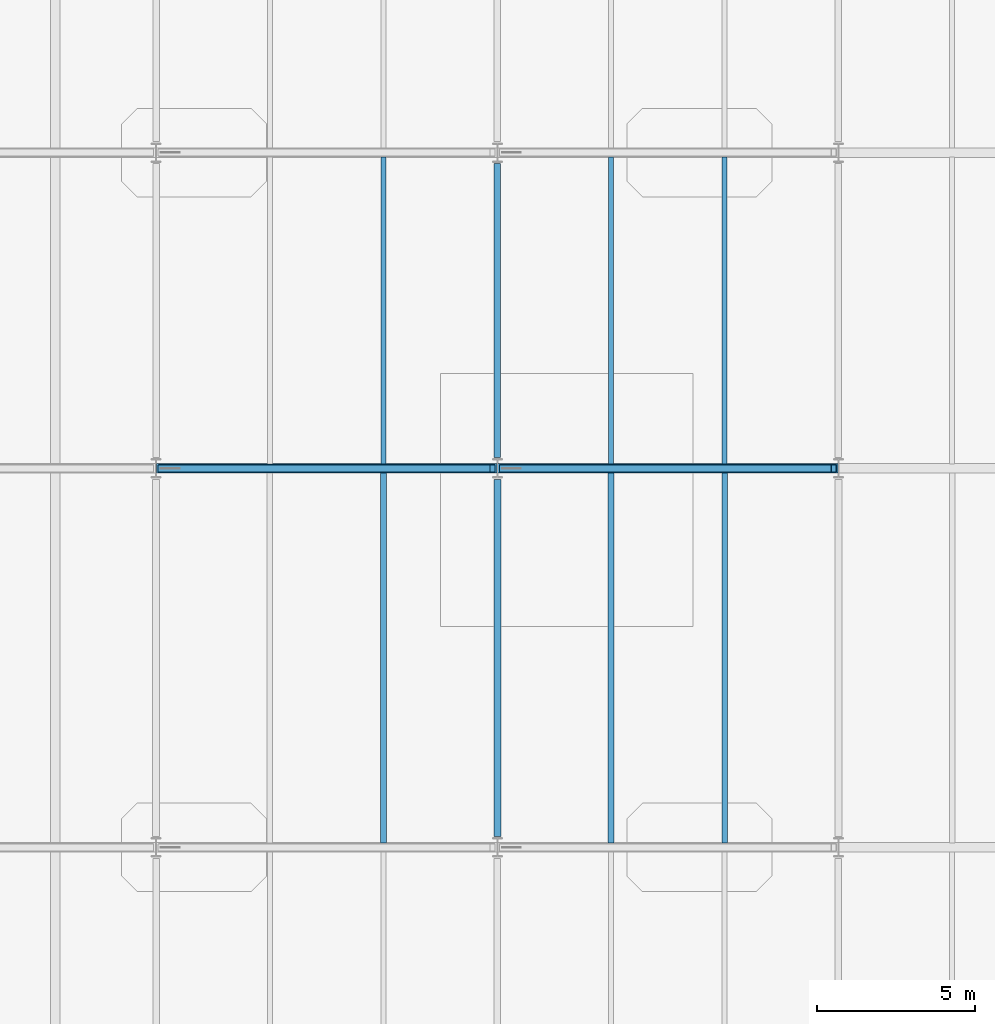
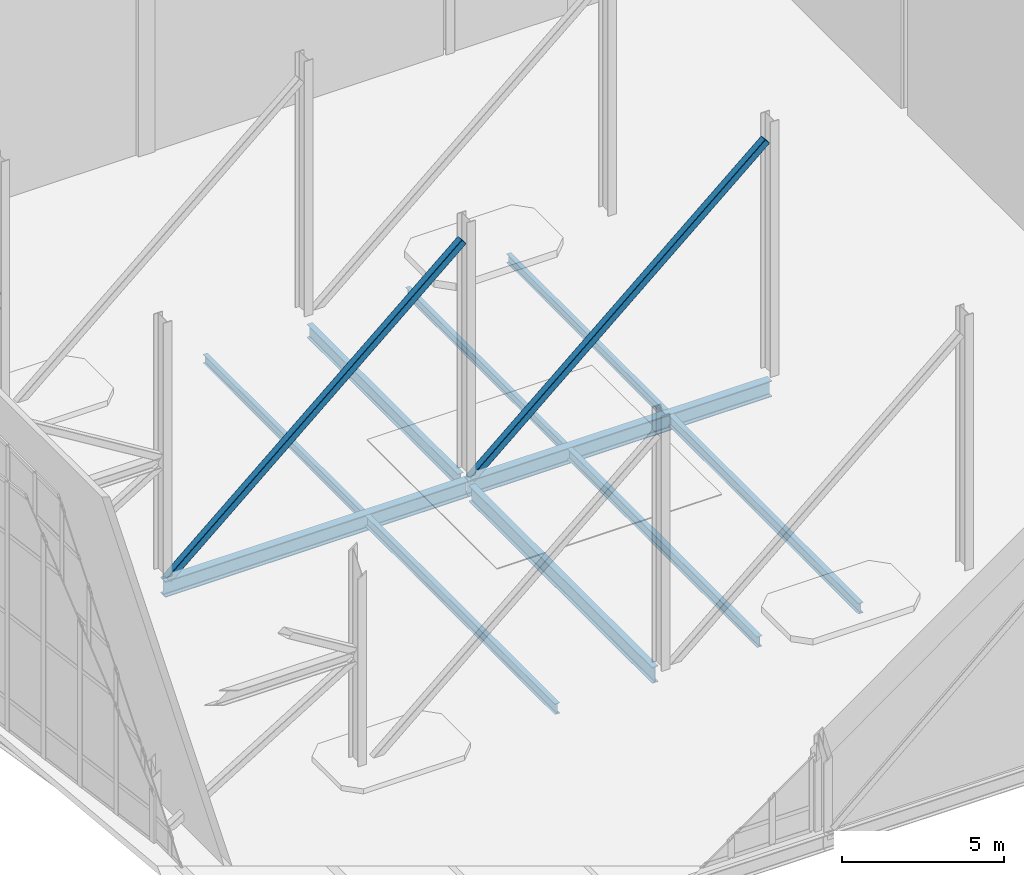
# One storey, part 24 of 100: 10 beams, 2 members.
"""IFC4 building model written with IfcOpenShell, lengths in metres."""

import ifcopenshell
import ifcopenshell.guid

model = None  # the IFC model being written
_history = None  # IfcOwnerHistory: only IFC2X3 demands one
_inside = {}  # id of a spatial element -> (the spatial element, [elements in it])
_under = {}  # id of a project, library or spatial element -> (it, [spatial elements below it])
_declared = {}  # id of a project -> (the project, [libraries it declares])
_typed = {}  # id of a type object -> (the type object, [elements of that type])
_made_of = {}  # id of a material, layer set ... -> (it, [elements and type objects made of it])


def new_model(schema):
    """Start an empty IFC model of exactly this schema.

    Asked for "IFC4X3", IfcOpenShell would pick the latest addendum, in which some entities
    have other attributes; the version numbers below select the first issue.
    IFC2X3 requires an IfcOwnerHistory on every rooted entity: one is made here for all.
    """
    global model, _history
    if schema == "IFC4X3":
        model = ifcopenshell.file(schema_version=(4, 3, 0, 0))
    else:
        model = ifcopenshell.file(schema=schema)
    _inside.clear()
    _under.clear()
    _declared.clear()
    _typed.clear()
    _made_of.clear()
    _history = None
    if model.schema == "IFC2X3":
        org = make("IfcOrganization", Name="unknown")
        user = make(
            "IfcPersonAndOrganization",
            ThePerson=make("IfcPerson", FamilyName="unknown"),
            TheOrganization=org,
        )
        app = make(
            "IfcApplication",
            ApplicationDeveloper=org,
            Version="unknown",
            ApplicationFullName="unknown",
            ApplicationIdentifier="unknown",
        )
        _history = make(
            "IfcOwnerHistory",
            OwningUser=user,
            OwningApplication=app,
            ChangeAction="ADDED",
            CreationDate=0,
        )
    return model


def make(cls, **values):
    """One entity of the class cls with the attributes given. An attribute that is None is left unset."""
    return model.create_entity(
        cls, **{name: value for name, value in values.items() if value is not None}
    )


def rooted(cls, **values):
    """An entity with a GlobalId (a new one), such as an element, a storey or a relation."""
    return make(cls, GlobalId=ifcopenshell.guid.new(), OwnerHistory=_history, **values)


def si_unit(unit_type, name, prefix=None):
    """IfcSIUnit, for example si_unit("LENGTHUNIT", "METRE", prefix="MILLI")."""
    return make("IfcSIUnit", UnitType=unit_type, Prefix=prefix, Name=name)


def assignment(units):
    """IfcUnitAssignment: the units of a project."""
    return None if units is None else make("IfcUnitAssignment", Units=units)


def point(xyz):
    """IfcCartesianPoint."""
    return None if xyz is None else make("IfcCartesianPoint", Coordinates=xyz)


def direction(xyz):
    """IfcDirection."""
    return None if xyz is None else make("IfcDirection", DirectionRatios=xyz)


def frame(location, z_axis=None, x_axis=None):
    """IfcAxis2Placement3D, a coordinate frame: its origin and axes. An axis left out is left unset."""
    return make(
        "IfcAxis2Placement3D",
        Location=point(location),
        Axis=direction(z_axis),
        RefDirection=direction(x_axis),
    )


def frame_2d(location, x_axis=None):
    """IfcAxis2Placement2D, a coordinate frame in the plane: its origin and x axis."""
    return make(
        "IfcAxis2Placement2D", Location=point(location), RefDirection=direction(x_axis)
    )


def origin():
    """The frame at (0, 0, 0) with its axes left unset."""
    return frame((0.0, 0.0, 0.0))


def origin_2d():
    """The frame at (0, 0) in the plane with its x axis left unset."""
    return frame_2d((0.0, 0.0))


def place(relative_to, where):
    """IfcLocalPlacement: puts the frame where relative to a parent placement (None: the world)."""
    return make(
        "IfcLocalPlacement", PlacementRelTo=relative_to, RelativePlacement=where
    )


def context(
    kind, dimensions, precision=None, world=None, true_north=None, identifier=None
):
    """IfcGeometricRepresentationContext, for example the 3D "Model" context."""
    return make(
        "IfcGeometricRepresentationContext",
        ContextIdentifier=identifier,
        ContextType=kind,
        CoordinateSpaceDimension=dimensions,
        Precision=precision,
        WorldCoordinateSystem=world,
        TrueNorth=true_north,
    )


def subcontext(parent, identifier, kind, view, scale=None):
    """IfcGeometricRepresentationSubContext, for example "Body" below "Model"."""
    return make(
        "IfcGeometricRepresentationSubContext",
        ContextIdentifier=identifier,
        ContextType=kind,
        ParentContext=parent,
        TargetScale=scale,
        TargetView=view,
    )


def project(units=None, contexts=None):
    """IfcProject with its units and contexts."""
    return rooted(
        "IfcProject",
        Name="project",
        RepresentationContexts=contexts,
        UnitsInContext=assignment(units),
    )


def spatial(cls, under=None, at=None, **own):
    """A site, building, storey or space (cls), placed at a placement, below another one or the project."""
    s = rooted(cls, ObjectPlacement=at, **own)
    if under is not None:
        _under.setdefault(under.id(), (under, []))[1].append(s)
    return s


def profile(cls, at=None, kind="AREA", **sizes):
    """A parametric profile (cls). Its sizes go by their IFC names, for example OverallWidth=200.0."""
    return make(cls, ProfileType=kind, Position=at, **sizes)


def hollow_rectangle(**sizes):
    """IfcRectangleHollowProfileDef."""
    return profile("IfcRectangleHollowProfileDef", **sizes)


def i_section(**sizes):
    """IfcIShapeProfileDef."""
    return profile("IfcIShapeProfileDef", **sizes)


def extrude(swept, where, along, depth):
    """IfcExtrudedAreaSolid: the profile swept, set in the frame where, extruded along a direction by depth."""
    return make(
        "IfcExtrudedAreaSolid",
        SweptArea=swept,
        Position=where,
        ExtrudedDirection=direction(along),
        Depth=depth,
    )


def shape(context_of_items, identifier, shape_type, items):
    """IfcShapeRepresentation: the items that make up one representation, for example the "Body"."""
    return make(
        "IfcShapeRepresentation",
        ContextOfItems=context_of_items,
        RepresentationIdentifier=identifier,
        RepresentationType=shape_type,
        Items=items,
    )


def material(Name=None, Category=None):
    """IfcMaterial."""
    return make("IfcMaterial", Name=Name, Category=Category)


def material_profile(
    of_material, cross_section, Name=None, Category=None, Priority=None
):
    """IfcMaterialProfile: a cross section and its material."""
    return make(
        "IfcMaterialProfile",
        Name=Name,
        Material=of_material,
        Profile=cross_section,
        Priority=Priority,
        Category=Category,
    )


def profile_set(profiles, Name=None, composite=None):
    """IfcMaterialProfileSet."""
    return make(
        "IfcMaterialProfileSet",
        Name=Name,
        MaterialProfiles=profiles,
        CompositeProfile=composite,
    )


def made_of(thing, what):
    """Note that an element or type object is made of a material, layer set ...; save() writes the relation."""
    if what is not None:
        _made_of.setdefault(what.id(), (what, []))[1].append(thing)
    return thing


def type_object(cls, material=None, **own):
    """A type object (cls), such as IfcWallType, which elements share."""
    return made_of(rooted(cls, **own), material)


def element(
    cls,
    number,
    at=None,
    inside=None,
    cuts=None,
    type_object=None,
    material=None,
    context=None,
    identifier="Body",
    shape_type=None,
    held_by="IfcProductDefinitionShape",
    body=None,
    shapes=None,
    **own,
):
    """One element of the class cls, such as IfcWall. Its Tag is "e" and its number.

    at: its placement. inside: the storey or other place that contains it. cuts: it is an
    opening in that element (IfcRelVoidsElement). A single representation is given by context,
    identifier, shape_type and body (its items); several are given by shapes. held_by: the class
    of the entity that holds the representations. save() writes the other relations.
    """
    e = rooted(cls, Tag="e%d" % number, ObjectPlacement=at, **own)
    if body is not None:
        shapes = [shape(context, identifier, shape_type, body)]
    if shapes is not None:
        e.Representation = make(held_by, Representations=shapes)
    if inside is not None:
        _inside.setdefault(inside.id(), (inside, []))[1].append(e)
    if cuts is not None:
        rooted(
            "IfcRelVoidsElement", RelatingBuildingElement=cuts, RelatedOpeningElement=e
        )
    if type_object is not None:
        _typed.setdefault(type_object.id(), (type_object, []))[1].append(e)
    return made_of(e, material)


def aggregate(whole, parts):
    """IfcRelAggregates: a whole, such as a stair, and the parts it consists of."""
    return rooted("IfcRelAggregates", RelatingObject=whole, RelatedObjects=parts)


def save(model, path):
    """Write the relations noted so far, then the file.

    IfcRelAggregates (storeys below a building ...), IfcRelContainedInSpatialStructure (elements
    in a storey), IfcRelDefinesByType, IfcRelAssociatesMaterial and IfcRelDeclares: one each for
    every whole, place, type object, material and project.
    """
    for whole, parts in _under.values():
        aggregate(whole, parts)
    for where, things in _inside.values():
        rooted(
            "IfcRelContainedInSpatialStructure",
            RelatedElements=things,
            RelatingStructure=where,
        )
    for kind, things in _typed.values():
        rooted("IfcRelDefinesByType", RelatedObjects=things, RelatingType=kind)
    for what, things in _made_of.values():
        rooted("IfcRelAssociatesMaterial", RelatedObjects=things, RelatingMaterial=what)
    for by, libraries in _declared.values():
        rooted("IfcRelDeclares", RelatingContext=by, RelatedDefinitions=libraries)
    model.write(path)


model = new_model("IFC4")

# Units and contexts
model_context = context("Model", 3, precision=1e-05, world=origin(), true_north=direction((0.0, 1.0)))
body_context = subcontext(model_context, "Body", "Model", "MODEL_VIEW")
ifc_project = project(units=[si_unit("LENGTHUNIT", "METRE"), si_unit("AREAUNIT", "SQUARE_METRE"), si_unit("VOLUMEUNIT", "CUBIC_METRE"), si_unit("PLANEANGLEUNIT", "RADIAN"), si_unit("MASSUNIT", "GRAM", prefix="KILO")], contexts=[model_context])

# Site, building, storey
site_placement = place(None, origin())
site = spatial("IfcSite", under=ifc_project, at=site_placement, CompositionType="ELEMENT")
building_placement = place(site_placement, origin())
building = spatial("IfcBuilding", under=site, at=building_placement, Name="Tasgan Crest Museum", CompositionType="ELEMENT")
storey_placement = place(building_placement, frame((0.0, 0.0, 14.39990234375)))
storey = spatial("IfcBuildingStorey", under=building, at=storey_placement, Name="L03", CompositionType="ELEMENT", Elevation=14.39990234375)

# Beams
ifc_material_1 = material(Name="Steel S355K2", Category="steel")
ifc_material_profile_1 = material_profile(ifc_material_1, i_section(OverallWidth=0.300048828125, OverallDepth=0.60009765625, WebThickness=0.015380859375, FlangeThickness=0.030029296875, FilletRadius=0.027099609375, at=origin_2d()), Name="HEB 600")
ifc_profile_set_1 = profile_set([ifc_material_profile_1], Name="Steel S355K2")
beam_type_1 = type_object("IfcBeamType", Name="BM-CANT-G1", PredefinedType="BEAM", material=ifc_profile_set_1)
for number, where, z_axis, x_axis, name in (
    (1, (10.806396484375, 62.0, -0.559814453125), (1.0, 0.0, 0.0), (0.0, 1.0, 0.0), "Transfer back-span girder 1 MID G"),
    (2, (21.6064453125, 62.0, -0.559814453125), (1.0, 0.0, 0.0), (0.0, 1.0, 0.0), "Transfer back-span girder 2 MID G"),
):
    element("IfcBeam", number, at=place(storey_placement, frame(where, z_axis=z_axis, x_axis=x_axis)), inside=storey, type_object=beam_type_1, Name=name, PredefinedType="BEAM", context=body_context, shape_type="SweptSolid", body=[
        extrude(i_section(OverallWidth=0.300048828125, OverallDepth=0.60009765625, WebThickness=0.015380859375, FlangeThickness=0.030029296875, FilletRadius=0.027099609375, at=origin_2d()), origin(), (0.0, 0.0, 1.0), 10.787109375),
    ])
ifc_material_2 = material(Name="Steel S355J2", Category="steel")
ifc_material_profile_2 = material_profile(ifc_material_2, i_section(OverallWidth=0.199951171875, OverallDepth=0.5, WebThickness=0.01025390625, FlangeThickness=0.01611328125, FilletRadius=0.02099609375, at=origin_2d()), Name="IPE 500")
ifc_profile_set_2 = profile_set([ifc_material_profile_2], Name="Steel S355J2")
beam_type_2 = type_object("IfcBeamType", Name="BM-G-IPE500", PredefinedType="BEAM", material=ifc_profile_set_2)
beam_1_placement = place(storey_placement, frame((21.60009765625, 62.344970703125, -0.510009765625), z_axis=(0.0, 1.0, 0.0), x_axis=(-1.0, 0.0, 0.0)))
element("IfcBeam", 3, at=beam_1_placement, inside=storey, type_object=beam_type_2, Name="Beam L03 3 62.0-72.0", PredefinedType="BEAM", context=body_context, shape_type="SweptSolid", body=[
    extrude(i_section(OverallWidth=0.199951171875, OverallDepth=0.5, WebThickness=0.01025390625, FlangeThickness=0.01611328125, FilletRadius=0.02099609375, at=origin_2d()), origin(), (0.0, 0.0, 1.0), 9.31005859375),
])
ifc_material_3 = material(Name="Steel S355J2", Category="steel")
ifc_material_profile_3 = material_profile(ifc_material_3, i_section(OverallWidth=0.219970703125, OverallDepth=0.60009765625, WebThickness=0.011962890625, FlangeThickness=0.01904296875, FilletRadius=0.02392578125, at=origin_2d()), Name="IPE 600")
ifc_profile_set_3 = profile_set([ifc_material_profile_3], Name="Steel S355J2")
beam_type_3 = type_object("IfcBeamType", Name="BM-G-IPE600", PredefinedType="BEAM", material=ifc_profile_set_3)
beam_2_placement = place(storey_placement, frame((21.60009765625, 50.344970703125, -0.559814453125), z_axis=(0.0, 1.0, 0.0), x_axis=(-1.0, 0.0, 0.0)))
element("IfcBeam", 4, at=beam_2_placement, inside=storey, type_object=beam_type_3, Name="Beam L03 3 50.0-62.0", PredefinedType="BEAM", context=body_context, shape_type="SweptSolid", body=[
    extrude(i_section(OverallWidth=0.219970703125, OverallDepth=0.60009765625, WebThickness=0.011962890625, FlangeThickness=0.01904296875, FilletRadius=0.02392578125, at=origin_2d()), origin(), (0.0, 0.0, 1.0), 11.31005859375),
])
ifc_material_4 = material(Name="Steel S355J2", Category="steel")
ifc_material_profile_4 = material_profile(ifc_material_4, i_section(OverallWidth=0.159912109375, OverallDepth=0.330078125, WebThickness=0.007568359375, FlangeThickness=0.011474609375, FilletRadius=0.01806640625, at=origin_2d()), Name="IPE 330")
ifc_profile_set_4 = profile_set([ifc_material_profile_4], Name="Steel S355J2")
beam_type_4 = type_object("IfcBeamType", Name="BM-J-IPE330", PredefinedType="JOIST", material=ifc_profile_set_4)
for number, where, z_axis, x_axis, name in (
    (5, (18.0, 62.14501953125, -0.4248046875), (0.0, 1.0, 0.0), (-1.0, 0.0, 0.0), "Secondary joist L03 X=18.0 Y=62.0-72.0"),
    (6, (25.199951171875, 62.14501953125, -0.4248046875), (0.0, 1.0, 0.0), (-1.0, 0.0, 0.0), "Secondary joist L03 X=25.2 Y=62.0-72.0"),
    (7, (28.800048828125, 62.14501953125, -0.4248046875), (0.0, 1.0, 0.0), (-1.0, 0.0, 0.0), "Secondary joist L03 X=28.8 Y=62.0-72.0"),
):
    element("IfcBeam", number, at=place(storey_placement, frame(where, z_axis=z_axis, x_axis=x_axis)), inside=storey, type_object=beam_type_4, Name=name, PredefinedType="JOIST", context=body_context, shape_type="SweptSolid", body=[
        extrude(i_section(OverallWidth=0.159912109375, OverallDepth=0.330078125, WebThickness=0.007568359375, FlangeThickness=0.011474609375, FilletRadius=0.01806640625, at=origin_2d()), origin(), (0.0, 0.0, 1.0), 9.7099609375),
    ])
ifc_material_5 = material(Name="Steel S355J2", Category="steel")
ifc_material_profile_5 = material_profile(ifc_material_5, i_section(OverallWidth=0.179931640625, OverallDepth=0.39990234375, WebThickness=0.008544921875, FlangeThickness=0.013427734375, FilletRadius=0.02099609375, at=origin_2d()), Name="IPE 400")
ifc_profile_set_5 = profile_set([ifc_material_profile_5], Name="Steel S355J2")
beam_type_5 = type_object("IfcBeamType", Name="BM-J-IPE400", PredefinedType="JOIST", material=ifc_profile_set_5)
for number, where, z_axis, x_axis, name in (
    (8, (18.0, 50.14501953125, -0.4599609375), (0.0, 1.0, 0.0), (-1.0, 0.0, 0.0), "Secondary joist L03 X=18.0 Y=50.0-62.0"),
    (9, (25.199951171875, 50.14501953125, -0.4599609375), (0.0, 1.0, 0.0), (-1.0, 0.0, 0.0), "Secondary joist L03 X=25.2 Y=50.0-62.0"),
    (10, (28.800048828125, 50.14501953125, -0.4599609375), (0.0, 1.0, 0.0), (-1.0, 0.0, 0.0), "Secondary joist L03 X=28.8 Y=50.0-62.0"),
):
    element("IfcBeam", number, at=place(storey_placement, frame(where, z_axis=z_axis, x_axis=x_axis)), inside=storey, type_object=beam_type_5, Name=name, PredefinedType="JOIST", context=body_context, shape_type="SweptSolid", body=[
        extrude(i_section(OverallWidth=0.179931640625, OverallDepth=0.39990234375, WebThickness=0.008544921875, FlangeThickness=0.013427734375, FilletRadius=0.02099609375, at=origin_2d()), origin(), (0.0, 0.0, 1.0), 11.7099609375),
    ])

# Members
ifc_material_6 = material(Name="Steel S355K2", Category="steel")
ifc_material_profile_6 = material_profile(ifc_material_6, hollow_rectangle(XDim=0.260009765625, YDim=0.260009765625, WallThickness=0.01416015625, InnerFilletRadius=0.01416015625, OuterFilletRadius=0.0283203125, at=origin_2d()), Name="SHS 260x260x14.2")
ifc_profile_set_6 = profile_set([ifc_material_profile_6], Name="Steel S355K2")
member_type = type_object("IfcMemberType", Name="TR-CANT-DIAG", PredefinedType="BRACE", material=ifc_profile_set_6)
for number, where, z_axis, x_axis, name in (
    (11, (10.949951171875, 62.0, -0.27978515625), (0.757121387748, 0.0, 0.653274218237), (0.0, 1.0, 0.0), "Transfer truss diagonal L03 G-2"),
    (12, (21.75, 62.0, -0.27978515625), (0.757121387748, 0.0, 0.653274218237), (0.0, 1.0, 0.0), "Transfer truss diagonal L03 G-3"),
):
    element("IfcMember", number, at=place(storey_placement, frame(where, z_axis=z_axis, x_axis=x_axis)), inside=storey, type_object=member_type, Name=name, PredefinedType="BRACE", context=body_context, shape_type="SweptSolid", body=[
        extrude(hollow_rectangle(XDim=0.260009765625, YDim=0.260009765625, WallThickness=0.01416015625, InnerFilletRadius=0.01416015625, OuterFilletRadius=0.0283203125, at=origin_2d()), origin(), (0.0, 0.0, 1.0), 13.868408203125),
    ])

save(model, "model.ifc")
